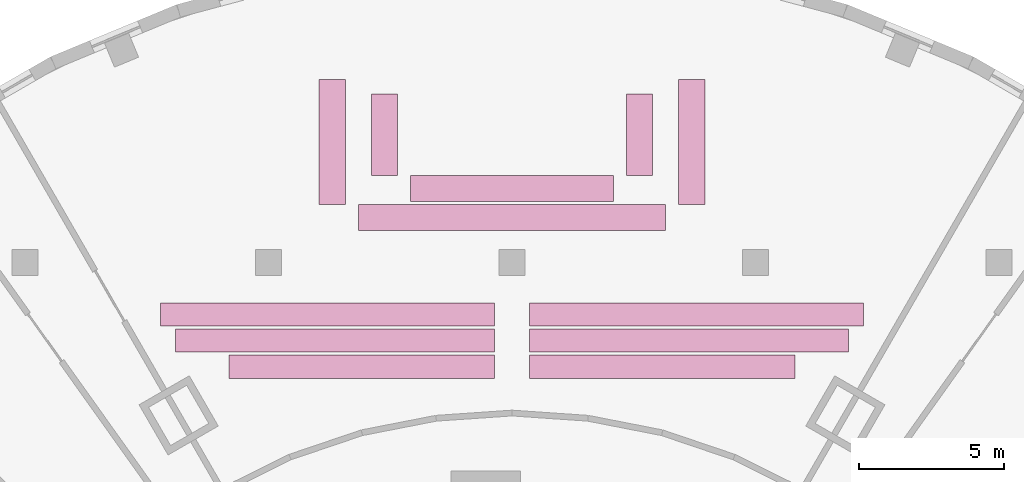
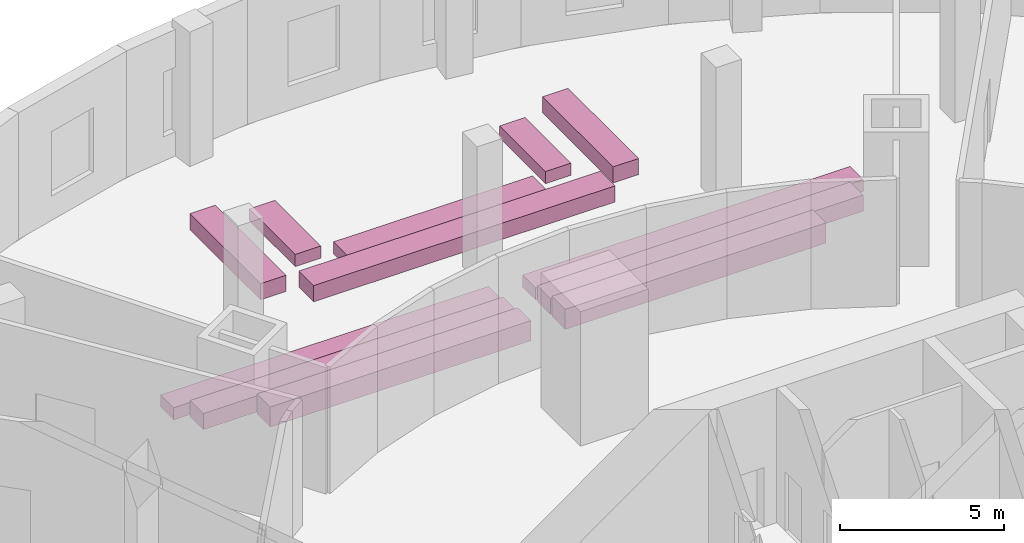
# One storey, part 17 of 17: 12 furniture elements.
"""IFC4 building model written with IfcOpenShell, lengths in metres."""

from ifc_helpers import new_model, si_unit, direction, frame, origin, origin_2d, place, context, subcontext, project, spatial, rectangle, extrude, element, save


model = new_model("IFC4")

# Units and contexts
model_context = context("Model", 3, precision=1e-05, world=origin(), true_north=direction((0.0, 1.0)))
body_context = subcontext(model_context, "Body", "Model", "MODEL_VIEW")
ifc_project = project(units=[si_unit("LENGTHUNIT", "METRE"), si_unit("AREAUNIT", "SQUARE_METRE"), si_unit("VOLUMEUNIT", "CUBIC_METRE"), si_unit("PLANEANGLEUNIT", "RADIAN"), si_unit("MASSUNIT", "GRAM", prefix="KILO")], contexts=[model_context])

# Site, building, storey
site_placement = place(None, origin())
site = spatial("IfcSite", under=ifc_project, at=site_placement, CompositionType="ELEMENT")
building_placement = place(site_placement, origin())
building = spatial("IfcBuilding", under=site, at=building_placement, Name="Golbaran Civic Tower", CompositionType="ELEMENT")
storey_placement = place(building_placement, frame((0.0, 0.0, 6.0)))
storey = spatial("IfcBuildingStorey", under=building, at=storey_placement, Name="L01", CompositionType="ELEMENT", Elevation=6.0)

# Furniture
furniture_1_placement = place(storey_placement, frame((0.0, 27.75, 0.0), z_axis=(0.0, 0.0, 1.0), x_axis=(1.0, 0.0, 0.0)))
element("IfcFurniture", 1, at=furniture_1_placement, inside=storey, Name="Council chamber seating row H1B", PredefinedType="CHAIR", context=body_context, shape_type="SweptSolid", body=[
    extrude(rectangle(XDim=7.0, YDim=0.89990234375, at=origin_2d()), origin(), (0.0, 0.0, 1.0), 0.449951171875),
])
for number, where, z_axis, x_axis, name in (
    (2, (-4.39990234375, 29.60009765625, 0.0), (0.0, 0.0, 1.0), (0.0, 1.0, 0.0), "Council chamber seating row H1W"),
    (3, (4.39990234375, 29.60009765625, 0.0), (0.0, 0.0, 1.0), (0.0, 1.0, 0.0), "Council chamber seating row H1E"),
):
    element("IfcFurniture", number, at=place(storey_placement, frame(where, z_axis=z_axis, x_axis=x_axis)), inside=storey, Name=name, PredefinedType="CHAIR", context=body_context, shape_type="SweptSolid", body=[
        extrude(rectangle(XDim=2.800048828125, YDim=0.89990234375, at=origin_2d()), origin(), (0.0, 0.0, 1.0), 0.449951171875),
    ])
furniture_2_placement = place(storey_placement, frame((0.0, 26.75, 0.0), z_axis=(0.0, 0.0, 1.0), x_axis=(1.0, 0.0, 0.0)))
element("IfcFurniture", 4, at=furniture_2_placement, inside=storey, Name="Council chamber seating row H2B", PredefinedType="CHAIR", context=body_context, shape_type="SweptSolid", body=[
    extrude(rectangle(XDim=10.60009765625, YDim=0.89990234375, at=origin_2d()), origin(), (0.0, 0.0, 1.0), 0.60009765625),
])
for number, where, z_axis, x_axis, name in (
    (5, (-6.199951171875, 29.35009765625, 0.0), (0.0, 0.0, 1.0), (0.0, 1.0, 0.0), "Council chamber seating row H2W"),
    (6, (6.199951171875, 29.35009765625, 0.0), (0.0, 0.0, 1.0), (0.0, 1.0, 0.0), "Council chamber seating row H2E"),
):
    element("IfcFurniture", number, at=place(storey_placement, frame(where, z_axis=z_axis, x_axis=x_axis)), inside=storey, Name=name, PredefinedType="CHAIR", context=body_context, shape_type="SweptSolid", body=[
        extrude(rectangle(XDim=4.300048828125, YDim=0.89990234375, at=origin_2d()), origin(), (0.0, 0.0, 1.0), 0.60009765625),
    ])
for number, where, z_axis, x_axis, name in (
    (7, (-6.362060546875, 23.39990234375, 0.0), (0.0, 0.0, 1.0), (1.0, 0.0, 0.0), "Council chamber seating row G1a"),
    (8, (6.362060546875, 23.39990234375, 0.0), (0.0, 0.0, 1.0), (1.0, 0.0, 0.0), "Council chamber seating row G1b"),
):
    element("IfcFurniture", number, at=place(storey_placement, frame(where, z_axis=z_axis, x_axis=x_axis)), inside=storey, Name=name, PredefinedType="CHAIR", context=body_context, shape_type="SweptSolid", body=[
        extrude(rectangle(XDim=11.5244140625, YDim=0.800048828125, at=origin_2d()), origin(), (0.0, 0.0, 1.0), 0.449951171875),
    ])
for number, where, z_axis, x_axis, name in (
    (9, (-6.102294921875, 22.5, 0.0), (0.0, 0.0, 1.0), (1.0, 0.0, 0.0), "Council chamber seating row G2a"),
    (10, (6.102294921875, 22.5, 0.0), (0.0, 0.0, 1.0), (1.0, 0.0, 0.0), "Council chamber seating row G2b"),
):
    element("IfcFurniture", number, at=place(storey_placement, frame(where, z_axis=z_axis, x_axis=x_axis)), inside=storey, Name=name, PredefinedType="CHAIR", context=body_context, shape_type="SweptSolid", body=[
        extrude(rectangle(XDim=11.004638671875, YDim=0.800048828125, at=origin_2d()), origin(), (0.0, 0.0, 1.0), 0.60009765625),
    ])
for number, where, z_axis, x_axis, name in (
    (11, (-5.184814453125, 21.60009765625, 0.0), (0.0, 0.0, 1.0), (1.0, 0.0, 0.0), "Council chamber seating row G3a"),
    (12, (5.184814453125, 21.60009765625, 0.0), (0.0, 0.0, 1.0), (1.0, 0.0, 0.0), "Council chamber seating row G3b"),
):
    element("IfcFurniture", number, at=place(storey_placement, frame(where, z_axis=z_axis, x_axis=x_axis)), inside=storey, Name=name, PredefinedType="CHAIR", context=body_context, shape_type="SweptSolid", body=[
        extrude(rectangle(XDim=9.169677734375, YDim=0.800048828125, at=origin_2d()), origin(), (0.0, 0.0, 1.0), 0.75),
    ])

save(model, "model.ifc")
